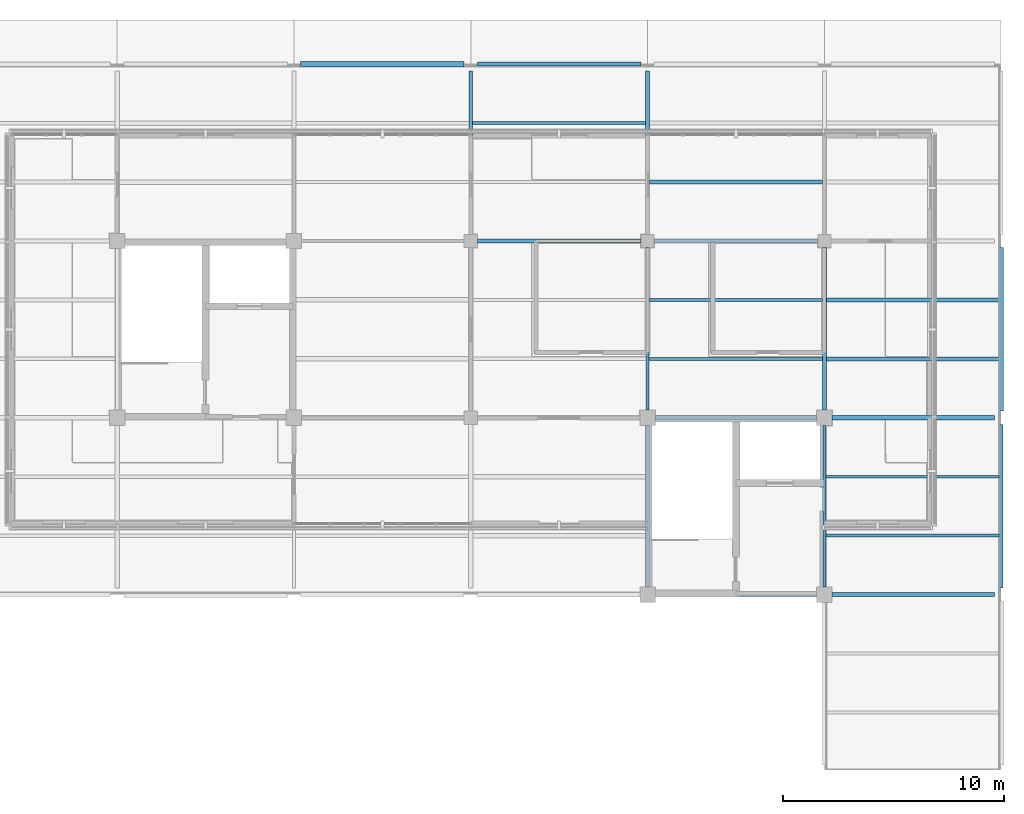
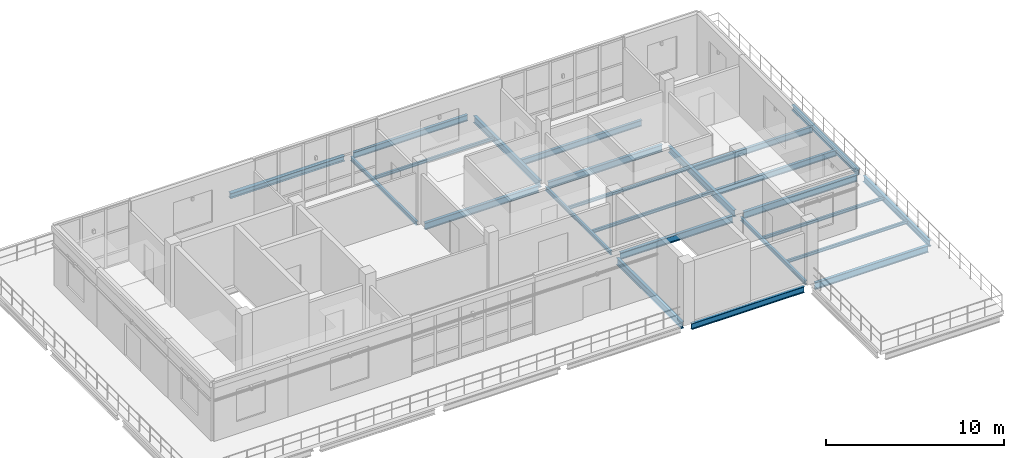
# One storey, part 10 of 24: 24 beams.
"""IFC4 building model written with IfcOpenShell, lengths in metres."""

from ifc_helpers import new_model, si_unit, derived_unit, direction, frame, origin, origin_2d, place, context, subcontext, project, spatial, i_section, extrude, material, material_profile, profile_set, type_object, element, save


model = new_model("IFC4")

# Units and contexts
model_context = context("Model", 3, precision=1e-05, world=origin(), true_north=direction((0.0, 1.0)))
body_context = subcontext(model_context, "Body", "Model", "MODEL_VIEW")
ifc_project = project(units=[si_unit("LENGTHUNIT", "METRE"), si_unit("AREAUNIT", "SQUARE_METRE"), si_unit("VOLUMEUNIT", "CUBIC_METRE"), si_unit("PLANEANGLEUNIT", "RADIAN"), si_unit("MASSUNIT", "GRAM", prefix="KILO"), derived_unit("THERMALTRANSMITTANCEUNIT", [(si_unit("MASSUNIT", "GRAM", prefix="KILO"), 1), (si_unit("TIMEUNIT", "SECOND"), -3), (si_unit("THERMODYNAMICTEMPERATUREUNIT", "KELVIN"), -1)])], contexts=[model_context])

# Site, building, storey
site_placement = place(None, origin())
site = spatial("IfcSite", under=ifc_project, at=site_placement, CompositionType="ELEMENT")
building_placement = place(site_placement, origin())
building = spatial("IfcBuilding", under=site, at=building_placement, Name="Veyamyaing Civic Hall", CompositionType="ELEMENT")
storey_placement = place(building_placement, frame((0.0, 0.0, 25.739990234375)))
storey = spatial("IfcBuildingStorey", under=building, at=storey_placement, Name="L06", CompositionType="ELEMENT", Elevation=25.739990234375)

# Beams
ifc_material = material(Name="Steel ASTM A992", Category="steel")
ifc_material_profile_1 = material_profile(ifc_material, i_section(OverallWidth=0.19189453125, OverallDepth=0.462890625, WebThickness=0.010498046875, FlangeThickness=0.017578125, FilletRadius=0.010009765625, at=origin_2d()), Name="W460X89")
ifc_profile_set_1 = profile_set([ifc_material_profile_1], Name="Steel ASTM A992")
beam_type_1 = type_object("IfcBeamType", Name="B-08", PredefinedType="BEAM", material=ifc_profile_set_1)
beam_1_placement = place(storey_placement, frame((168.35009765625, 88.0, -0.46142578125), z_axis=(1.0, 0.0, 0.0), x_axis=(0.0, 1.0, 0.0)))
element("IfcBeam", 1, at=beam_1_placement, inside=storey, type_object=beam_type_1, Name="Girder B-08 L06 Grid M 22-23", PredefinedType="BEAM", context=body_context, shape_type="SweptSolid", body=[
    extrude(i_section(OverallWidth=0.19189453125, OverallDepth=0.462890625, WebThickness=0.010498046875, FlangeThickness=0.017578125, FilletRadius=0.010009765625, at=origin_2d()), origin(), (0.0, 0.0, 1.0), 7.349853515625),
])
beam_2_placement = place(storey_placement, frame((160.35009765625, 96.0, -0.45654296875), z_axis=(1.0, 0.0, 0.0), x_axis=(0.0, 1.0, 0.0)))
element("IfcBeam", 2, at=beam_2_placement, inside=storey, type_object=beam_type_1, Name="Girder B-08 L06 Grid N 21-22", PredefinedType="BEAM", context=body_context, shape_type="SweptSolid", body=[
    extrude(i_section(OverallWidth=0.19189453125, OverallDepth=0.462890625, WebThickness=0.010498046875, FlangeThickness=0.017578125, FilletRadius=0.010009765625, at=origin_2d()), origin(), (0.0, 0.0, 1.0), 7.2998046875),
])
for number, where, z_axis, x_axis, name in (
    (3, (152.300048828125, 104.0, -0.45654296875), (1.0, 0.0, 0.0), (0.0, 1.0, 0.0), "Girder B-08 L06 Grid P 20-21"),
    (4, (160.0, 104.300048828125, -0.46142578125), (0.0, 1.0, 0.0), (-1.0, 0.0, 0.0), "Girder B-08 L06 Grid 21 P-Q"),
):
    element("IfcBeam", number, at=place(storey_placement, frame(where, z_axis=z_axis, x_axis=x_axis)), inside=storey, type_object=beam_type_1, Name=name, PredefinedType="BEAM", context=body_context, shape_type="SweptSolid", body=[
        extrude(i_section(OverallWidth=0.19189453125, OverallDepth=0.462890625, WebThickness=0.010498046875, FlangeThickness=0.017578125, FilletRadius=0.010009765625, at=origin_2d()), origin(), (0.0, 0.0, 1.0), 7.39990234375),
    ])
beam_3_placement = place(storey_placement, frame((168.0, 96.35009765625, -0.45654296875), z_axis=(0.0, 1.0, 0.0), x_axis=(-1.0, 0.0, 0.0)))
element("IfcBeam", 5, at=beam_3_placement, inside=storey, type_object=beam_type_1, Name="Girder B-08 L06 Grid 22 N-P", PredefinedType="BEAM", context=body_context, shape_type="SweptSolid", body=[
    extrude(i_section(OverallWidth=0.19189453125, OverallDepth=0.462890625, WebThickness=0.010498046875, FlangeThickness=0.017578125, FilletRadius=0.010009765625, at=origin_2d()), origin(), (0.0, 0.0, 1.0), 7.349853515625),
])
ifc_material_profile_2 = material_profile(ifc_material, i_section(OverallWidth=0.18994140625, OverallDepth=0.45703125, WebThickness=0.009033203125, FlangeThickness=0.014404296875, FilletRadius=0.010009765625, at=origin_2d()), Name="W460X74")
ifc_profile_set_2 = profile_set([ifc_material_profile_2], Name="Steel ASTM A992")
beam_type_2 = type_object("IfcBeamType", Name="B-09", PredefinedType="BEAM", material=ifc_profile_set_2)
beam_4_placement = place(storey_placement, frame((168.35009765625, 96.0, -0.45849609375), z_axis=(1.0, 0.0, 0.0), x_axis=(0.0, 1.0, 0.0)))
element("IfcBeam", 6, at=beam_4_placement, inside=storey, type_object=beam_type_2, Name="Girder B-09 L06 Grid N 22-23", PredefinedType="BEAM", context=body_context, shape_type="SweptSolid", body=[
    extrude(i_section(OverallWidth=0.18994140625, OverallDepth=0.45703125, WebThickness=0.009033203125, FlangeThickness=0.014404296875, FilletRadius=0.010009765625, at=origin_2d()), origin(), (0.0, 0.0, 1.0), 7.349853515625),
])
beam_5_placement = place(storey_placement, frame((160.300048828125, 104.0, -0.453369140625), z_axis=(1.0, 0.0, 0.0), x_axis=(0.0, 1.0, 0.0)))
element("IfcBeam", 7, at=beam_5_placement, inside=storey, type_object=beam_type_2, Name="Girder B-09 L06 Grid P 21-22", PredefinedType="BEAM", context=body_context, shape_type="SweptSolid", body=[
    extrude(i_section(OverallWidth=0.18994140625, OverallDepth=0.45703125, WebThickness=0.009033203125, FlangeThickness=0.014404296875, FilletRadius=0.010009765625, at=origin_2d()), origin(), (0.0, 0.0, 1.0), 7.39990234375),
])
beam_6_placement = place(storey_placement, frame((160.0, 88.35009765625, -0.45849609375), z_axis=(0.0, 1.0, 0.0), x_axis=(-1.0, 0.0, 0.0)))
element("IfcBeam", 8, at=beam_6_placement, inside=storey, type_object=beam_type_2, Name="Girder B-09 L06 Grid 21 M-N", PredefinedType="BEAM", context=body_context, shape_type="SweptSolid", body=[
    extrude(i_section(OverallWidth=0.18994140625, OverallDepth=0.45703125, WebThickness=0.009033203125, FlangeThickness=0.014404296875, FilletRadius=0.010009765625, at=origin_2d()), origin(), (0.0, 0.0, 1.0), 7.2998046875),
])
ifc_material_profile_3 = material_profile(ifc_material, i_section(OverallWidth=0.179931640625, OverallDepth=0.4130859375, WebThickness=0.009765625, FlangeThickness=0.01611328125, FilletRadius=0.010009765625, at=origin_2d()), Name="W410X74")
ifc_profile_set_3 = profile_set([ifc_material_profile_3], Name="Steel ASTM A992")
beam_type_3 = type_object("IfcBeamType", Name="B-10", PredefinedType="SPANDREL", material=ifc_profile_set_3)
for number, where, z_axis, x_axis, name in (
    (9, (152.300048828125, 112.0, -0.4365234375), (1.0, 0.0, 0.0), (0.0, 1.0, 0.0), "Girder B-10 L06 Grid Q 20-21"),
    (10, (176.0, 88.300048828125, -0.4365234375), (0.0, 1.0, 0.0), (-1.0, 0.0, 0.0), "Girder B-10 L06 Grid 23 M-N"),
):
    element("IfcBeam", number, at=place(storey_placement, frame(where, z_axis=z_axis, x_axis=x_axis)), inside=storey, type_object=beam_type_3, Name=name, PredefinedType="SPANDREL", context=body_context, shape_type="SweptSolid", body=[
        extrude(i_section(OverallWidth=0.179931640625, OverallDepth=0.4130859375, WebThickness=0.009765625, FlangeThickness=0.01611328125, FilletRadius=0.010009765625, at=origin_2d()), origin(), (0.0, 0.0, 1.0), 7.39990234375),
    ])
ifc_material_profile_4 = material_profile(ifc_material, i_section(OverallWidth=0.2041015625, OverallDepth=0.35009765625, WebThickness=0.0078125, FlangeThickness=0.01513671875, FilletRadius=0.010009765625, at=origin_2d()), Name="W360X72")
ifc_profile_set_4 = profile_set([ifc_material_profile_4], Name="Steel ASTM A992")
beam_type_4 = type_object("IfcBeamType", Name="B-11", PredefinedType="SPANDREL", material=ifc_profile_set_4)
beam_7_placement = place(storey_placement, frame((176.0, 96.300048828125, -0.405029296875), z_axis=(0.0, 1.0, 0.0), x_axis=(-1.0, 0.0, 0.0)))
element("IfcBeam", 11, at=beam_7_placement, inside=storey, type_object=beam_type_4, Name="Girder B-11 L06 Grid 23 N-P", PredefinedType="SPANDREL", context=body_context, shape_type="SweptSolid", body=[
    extrude(i_section(OverallWidth=0.2041015625, OverallDepth=0.35009765625, WebThickness=0.0078125, FlangeThickness=0.01513671875, FilletRadius=0.010009765625, at=origin_2d()), origin(), (0.0, 0.0, 1.0), 7.39990234375),
])
ifc_material_profile_5 = material_profile(ifc_material, i_section(OverallWidth=0.14599609375, OverallDepth=0.258056640625, WebThickness=0.006103515625, FlangeThickness=0.009033203125, FilletRadius=0.010009765625, at=origin_2d()), Name="W250X33")
ifc_profile_set_5 = profile_set([ifc_material_profile_5], Name="Steel ASTM A992")
beam_type_5 = type_object("IfcBeamType", Name="B-12", PredefinedType="BEAM", material=ifc_profile_set_5)
beam_8_placement = place(storey_placement, frame((152.0, 104.300048828125, -0.35888671875), z_axis=(0.0, 1.0, 0.0), x_axis=(-1.0, 0.0, 0.0)))
element("IfcBeam", 12, at=beam_8_placement, inside=storey, type_object=beam_type_5, Name="Girder B-12 L06 Grid 20 P-Q", PredefinedType="BEAM", context=body_context, shape_type="SweptSolid", body=[
    extrude(i_section(OverallWidth=0.14599609375, OverallDepth=0.258056640625, WebThickness=0.006103515625, FlangeThickness=0.009033203125, FilletRadius=0.010009765625, at=origin_2d()), origin(), (0.0, 0.0, 1.0), 7.39990234375),
])
beam_9_placement = place(storey_placement, frame((160.0, 96.35009765625, -0.35400390625), z_axis=(0.0, 1.0, 0.0), x_axis=(-1.0, 0.0, 0.0)))
element("IfcBeam", 13, at=beam_9_placement, inside=storey, type_object=beam_type_5, Name="Girder B-12 L06 Grid 21 N-P", PredefinedType="BEAM", context=body_context, shape_type="SweptSolid", body=[
    extrude(i_section(OverallWidth=0.14599609375, OverallDepth=0.258056640625, WebThickness=0.006103515625, FlangeThickness=0.009033203125, FilletRadius=0.010009765625, at=origin_2d()), origin(), (0.0, 0.0, 1.0), 7.349853515625),
])
beam_10_placement = place(storey_placement, frame((168.0, 88.35009765625, -0.35888671875), z_axis=(0.0, 1.0, 0.0), x_axis=(-1.0, 0.0, 0.0)))
element("IfcBeam", 14, at=beam_10_placement, inside=storey, type_object=beam_type_5, Name="Girder B-12 L06 Grid 22 M-N", PredefinedType="BEAM", context=body_context, shape_type="SweptSolid", body=[
    extrude(i_section(OverallWidth=0.14599609375, OverallDepth=0.258056640625, WebThickness=0.006103515625, FlangeThickness=0.009033203125, FilletRadius=0.010009765625, at=origin_2d()), origin(), (0.0, 0.0, 1.0), 7.2998046875),
])
ifc_material_profile_6 = material_profile(ifc_material, i_section(OverallWidth=0.180908203125, OverallDepth=0.4169921875, WebThickness=0.010986328125, FlangeThickness=0.018310546875, FilletRadius=0.010009765625, at=origin_2d()), Name="W410X85")
ifc_profile_set_6 = profile_set([ifc_material_profile_6], Name="Steel ASTM A992")
beam_type_6 = type_object("IfcBeamType", Name="B-19", PredefinedType="SPANDREL", material=ifc_profile_set_6)
beam_11_placement = place(storey_placement, frame((160.35009765625, 88.0, -0.43359375), z_axis=(1.0, 0.0, 0.0), x_axis=(0.0, 1.0, 0.0)))
element("IfcBeam", 15, at=beam_11_placement, inside=storey, type_object=beam_type_6, Name="Girder B-19 L06 Grid M 21-22", PredefinedType="SPANDREL", context=body_context, shape_type="SweptSolid", body=[
    extrude(i_section(OverallWidth=0.180908203125, OverallDepth=0.4169921875, WebThickness=0.010986328125, FlangeThickness=0.018310546875, FilletRadius=0.010009765625, at=origin_2d()), origin(), (0.0, 0.0, 1.0), 7.2998046875),
])
ifc_material_profile_7 = material_profile(ifc_material, i_section(OverallWidth=0.25390625, OverallDepth=0.35302734375, WebThickness=0.009521484375, FlangeThickness=0.016357421875, FilletRadius=0.011962890625, at=origin_2d()), Name="W360X91")
ifc_profile_set_7 = profile_set([ifc_material_profile_7], Name="Steel ASTM A992")
beam_type_7 = type_object("IfcBeamType", Name="B-20", PredefinedType="SPANDREL", material=ifc_profile_set_7)
beam_12_placement = place(storey_placement, frame((144.300048828125, 112.0, -0.406494140625), z_axis=(1.0, 0.0, 0.0), x_axis=(0.0, 1.0, 0.0)))
element("IfcBeam", 16, at=beam_12_placement, inside=storey, type_object=beam_type_7, Name="Girder B-20 L06 Grid Q 19-20", PredefinedType="SPANDREL", context=body_context, shape_type="SweptSolid", body=[
    extrude(i_section(OverallWidth=0.25390625, OverallDepth=0.35302734375, WebThickness=0.009521484375, FlangeThickness=0.016357421875, FilletRadius=0.011962890625, at=origin_2d()), origin(), (0.0, 0.0, 1.0), 7.39990234375),
])
ifc_material_profile_8 = material_profile(ifc_material, i_section(OverallWidth=0.177978515625, OverallDepth=0.406982421875, WebThickness=0.0078125, FlangeThickness=0.0126953125, FilletRadius=0.010009765625, at=origin_2d()), Name="W410X60")
ifc_profile_set_8 = profile_set([ifc_material_profile_8], Name="Steel ASTM A992")
beam_type_8 = type_object("IfcBeamType", Name="J-01", PredefinedType="JOIST", material=ifc_profile_set_8)
beam_13_placement = place(storey_placement, frame((160.093994140625, 106.666748046875, -0.43359375), z_axis=(1.0, 0.0, 0.0), x_axis=(0.0, 1.0, 0.0)))
element("IfcBeam", 17, at=beam_13_placement, inside=storey, type_object=beam_type_8, Name="Composite floor joist J-01 L06 21.14.1", PredefinedType="JOIST", context=body_context, shape_type="SweptSolid", body=[
    extrude(i_section(OverallWidth=0.177978515625, OverallDepth=0.406982421875, WebThickness=0.0078125, FlangeThickness=0.0126953125, FilletRadius=0.010009765625, at=origin_2d()), origin(), (0.0, 0.0, 1.0), 7.81298828125),
])
for number, where, z_axis, x_axis, name in (
    (18, (168.093994140625, 98.666748046875, -0.43359375), (1.0, 0.0, 0.0), (0.0, 1.0, 0.0), "Composite floor joist J-01 L06 22.13.1"),
    (19, (168.093994140625, 101.333251953125, -0.43359375), (1.0, 0.0, 0.0), (0.0, 1.0, 0.0), "Composite floor joist J-01 L06 22.13.2"),
):
    element("IfcBeam", number, at=place(storey_placement, frame(where, z_axis=z_axis, x_axis=x_axis)), inside=storey, type_object=beam_type_8, Name=name, PredefinedType="JOIST", context=body_context, shape_type="SweptSolid", body=[
        extrude(i_section(OverallWidth=0.177978515625, OverallDepth=0.406982421875, WebThickness=0.0078125, FlangeThickness=0.0126953125, FilletRadius=0.010009765625, at=origin_2d()), origin(), (0.0, 0.0, 1.0), 7.805908203125),
    ])
ifc_material_profile_9 = material_profile(ifc_material, i_section(OverallWidth=0.133056640625, OverallDepth=0.20703125, WebThickness=0.005859375, FlangeThickness=0.00830078125, FilletRadius=0.010009765625, at=origin_2d()), Name="W200X27")
ifc_profile_set_9 = profile_set([ifc_material_profile_9], Name="Steel ASTM A992")
beam_type_9 = type_object("IfcBeamType", Name="J-08", PredefinedType="JOIST", material=ifc_profile_set_9)
for number, where, z_axis, x_axis, name in (
    (20, (152.071044921875, 109.333251953125, -0.33349609375), (1.0, 0.0, 0.0), (0.0, 1.0, 0.0), "Composite floor joist J-08 L06 20.14.2"),
    (21, (160.071044921875, 98.666748046875, -0.328369140625), (1.0, 0.0, 0.0), (0.0, 1.0, 0.0), "Composite floor joist J-08 L06 21.13.1"),
    (22, (160.071044921875, 101.333251953125, -0.328369140625), (1.0, 0.0, 0.0), (0.0, 1.0, 0.0), "Composite floor joist J-08 L06 21.13.2"),
):
    element("IfcBeam", number, at=place(storey_placement, frame(where, z_axis=z_axis, x_axis=x_axis)), inside=storey, type_object=beam_type_9, Name=name, PredefinedType="JOIST", context=body_context, shape_type="SweptSolid", body=[
        extrude(i_section(OverallWidth=0.133056640625, OverallDepth=0.20703125, WebThickness=0.005859375, FlangeThickness=0.00830078125, FilletRadius=0.010009765625, at=origin_2d()), origin(), (0.0, 0.0, 1.0), 7.8349609375),
    ])
for number, where, z_axis, x_axis, name in (
    (23, (168.071044921875, 90.666748046875, -0.33349609375), (1.0, 0.0, 0.0), (0.0, 1.0, 0.0), "Composite floor joist J-08 L06 22.12.1"),
    (24, (168.071044921875, 93.333251953125, -0.33349609375), (1.0, 0.0, 0.0), (0.0, 1.0, 0.0), "Composite floor joist J-08 L06 22.12.2"),
):
    element("IfcBeam", number, at=place(storey_placement, frame(where, z_axis=z_axis, x_axis=x_axis)), inside=storey, type_object=beam_type_9, Name=name, PredefinedType="JOIST", context=body_context, shape_type="SweptSolid", body=[
        extrude(i_section(OverallWidth=0.133056640625, OverallDepth=0.20703125, WebThickness=0.005859375, FlangeThickness=0.00830078125, FilletRadius=0.010009765625, at=origin_2d()), origin(), (0.0, 0.0, 1.0), 7.841064453125),
    ])

save(model, "model.ifc")
